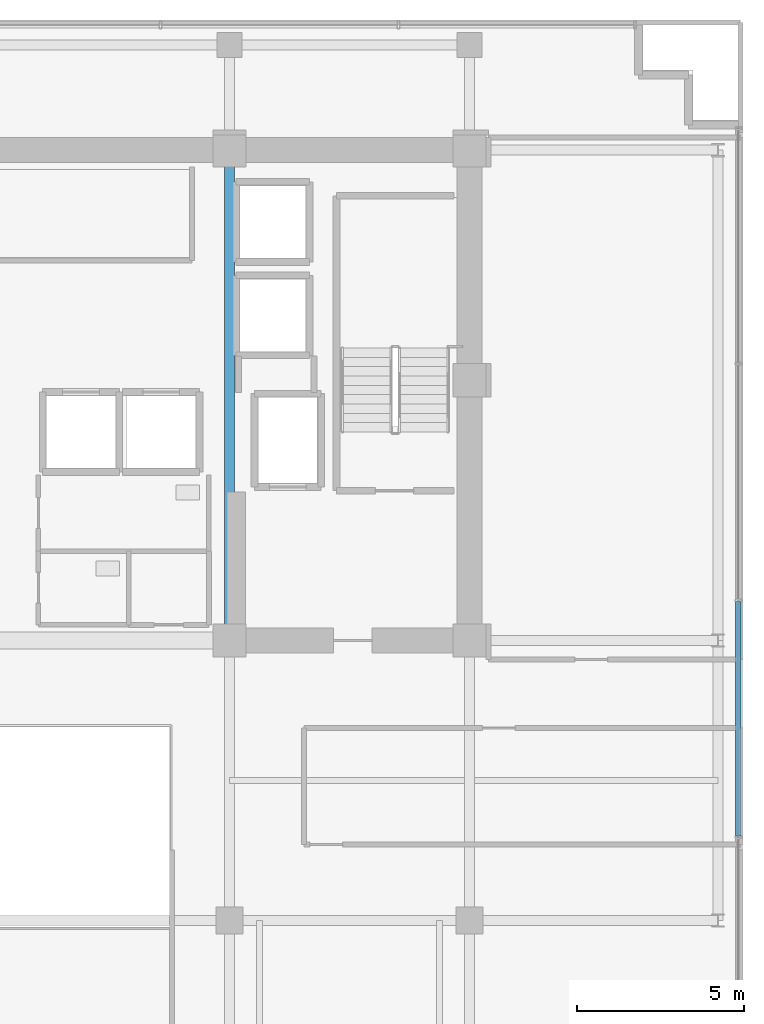
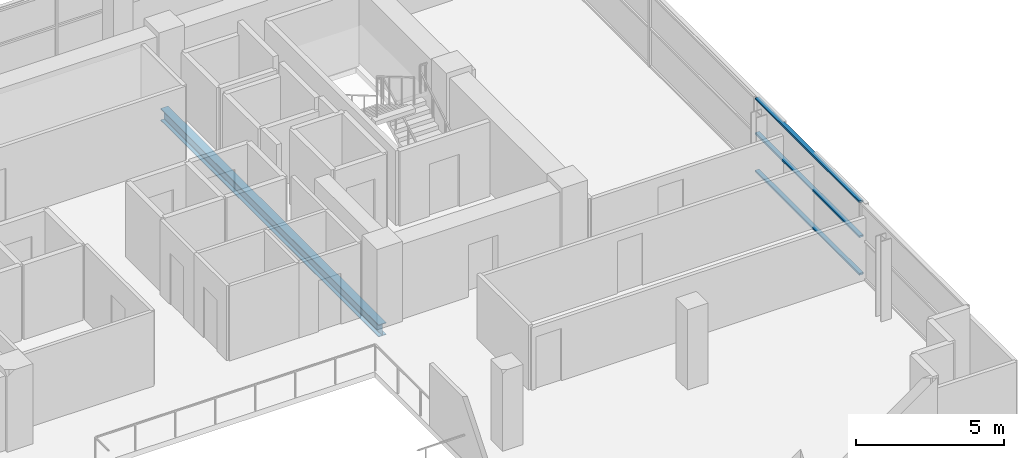
# One storey, part 7 of 21: 3 members, 1 beam, 1 element without a shape of its own.
"""IFC4 building model written with IfcOpenShell, lengths in metres."""

from ifc_helpers import new_model, si_unit, direction, frame, origin, origin_2d, place, context, subcontext, project, spatial, hollow_rectangle, i_section, extrude, source, transform, mapped, material, layer, layer_set, material_profile, profile_set, type_object, element, aggregate, save


model = new_model("IFC4")

# Units and contexts
model_context = context("Model", 3, precision=1e-05, world=origin(), true_north=direction((0.0, 1.0)))
body_context = subcontext(model_context, "Body", "Model", "MODEL_VIEW")
ifc_project = project(units=[si_unit("LENGTHUNIT", "METRE"), si_unit("AREAUNIT", "SQUARE_METRE"), si_unit("VOLUMEUNIT", "CUBIC_METRE"), si_unit("PLANEANGLEUNIT", "RADIAN"), si_unit("MASSUNIT", "GRAM", prefix="KILO")], contexts=[model_context])

# Site, building, storey
site_placement = place(None, origin())
site = spatial("IfcSite", under=ifc_project, at=site_placement, CompositionType="ELEMENT")
building_placement = place(site_placement, origin())
building = spatial("IfcBuilding", under=site, at=building_placement, Name="Zarnakvel Exchange Tower", CompositionType="ELEMENT")
storey_placement = place(building_placement, frame((0.0, 0.0, 166.0)))
storey = spatial("IfcBuildingStorey", under=building, at=storey_placement, Name="L46", CompositionType="ELEMENT", Elevation=166.0)

# Beam
ifc_material_1 = material(Name="Steel S355", Category="steel")
ifc_material_profile_1 = material_profile(ifc_material_1, i_section(OverallWidth=0.300048828125, OverallDepth=0.5, WebThickness=0.014404296875, FlangeThickness=0.028076171875, FilletRadius=0.027099609375, at=origin_2d()))
ifc_profile_set_1 = profile_set([ifc_material_profile_1], Name="Steel S355")
beam_type = type_object("IfcBeamType", Name="G-06", PredefinedType="BEAM", material=ifc_profile_set_1)
beam_placement = place(storey_placement, frame((7.199951171875, -1.199951171875, -0.47509765625), z_axis=(0.0, 1.0, 0.0), x_axis=(-1.0, 0.0, 0.0)))
element("IfcBeam", 1, at=beam_placement, inside=storey, type_object=beam_type, Name="L46 Tower N-S Frame Beam", PredefinedType="BEAM", context=body_context, shape_type="SweptSolid", body=[
    extrude(i_section(OverallWidth=0.300048828125, OverallDepth=0.5, WebThickness=0.014404296875, FlangeThickness=0.028076171875, FilletRadius=0.027099609375, at=origin_2d()), origin(), (0.0, 0.0, 1.0), 14.699951171875),
])

# Curtain wall, members
ifc_material_2 = material(Name="Architectural Bronze Anodised Aluminium", Category="aluminium")
ifc_layer = layer(ifc_material_2, 0.199951171875)
ifc_layer_set = layer_set([ifc_layer], Name="Architectural Bronze Anodised Aluminium")
curtain_wall_type = type_object("IfcCurtainWallType", Name="CW-04", PredefinedType="NOTDEFINED", material=ifc_layer_set)
curtain_wall_placement = place(storey_placement, origin())
curtain_wall = element("IfcCurtainWall", 2, at=curtain_wall_placement, inside=storey, type_object=curtain_wall_type, Name="L46 Curtain Wall CW-L46-E1 (CW-04)", PredefinedType="NOTDEFINED")
ifc_material_profile_2 = material_profile(ifc_material_2, hollow_rectangle(XDim=0.159912109375, YDim=0.074951171875, WallThickness=0.00390625, at=origin_2d()))
ifc_profile_set_2 = profile_set([ifc_material_profile_2], Name="Architectural Bronze Anodised Aluminium")
member_type = type_object("IfcMemberType", Name="CWT-04", PredefinedType="USERDEFINED", material=ifc_profile_set_2)
shared_shape = source(origin(), body_context, "Body", "SweptSolid", [
    extrude(hollow_rectangle(XDim=0.159912109375, YDim=0.074951171875, WallThickness=0.00390625, at=origin_2d()), origin(), (0.0, 0.0, 1.0), 7.02490234375),
])
member_1_placement = place(storey_placement, frame((22.4599609375, -7.0625, 0.03759765625), z_axis=(0.0, 1.0, 0.0), x_axis=(-1.0, 0.0, 0.0)))
member_1 = element("IfcMember", 3, at=member_1_placement, type_object=member_type, Name="CW-04 transom 2.1", ObjectType="TRANSOM", PredefinedType="USERDEFINED", context=body_context, shape_type="MappedRepresentation", body=[
    mapped(shared_shape, transform((0.0, 0.0, 0.0), x_axis=(1.0, 0.0, 0.0), y_axis=(0.0, 1.0, 0.0), z_axis=(0.0, 0.0, 1.0), scale=1.0)),
])
member_2_placement = place(storey_placement, frame((22.4599609375, -7.0625, 1.588623046875), z_axis=(0.0, 1.0, 0.0), x_axis=(-1.0, 0.0, 0.0)))
member_2 = element("IfcMember", 4, at=member_2_placement, type_object=member_type, Name="CW-04 transom 2.2", ObjectType="TRANSOM", PredefinedType="USERDEFINED", context=body_context, shape_type="MappedRepresentation", body=[
    mapped(shared_shape, transform((0.0, 0.0, 0.0), x_axis=(1.0, 0.0, 0.0), y_axis=(0.0, 1.0, 0.0), z_axis=(0.0, 0.0, 1.0), scale=1.0)),
])
member_3_placement = place(storey_placement, frame((22.4599609375, -7.0625, 3.017578125), z_axis=(0.0, 1.0, 0.0), x_axis=(-1.0, 0.0, 0.0)))
member_3 = element("IfcMember", 5, at=member_3_placement, type_object=member_type, Name="CW-04 transom 2.3", ObjectType="TRANSOM", PredefinedType="USERDEFINED", context=body_context, shape_type="MappedRepresentation", body=[
    mapped(shared_shape, transform((0.0, 0.0, 0.0), x_axis=(1.0, 0.0, 0.0), y_axis=(0.0, 1.0, 0.0), z_axis=(0.0, 0.0, 1.0), scale=1.0)),
])
aggregate(curtain_wall, [member_1, member_2, member_3])

save(model, "model.ifc")
